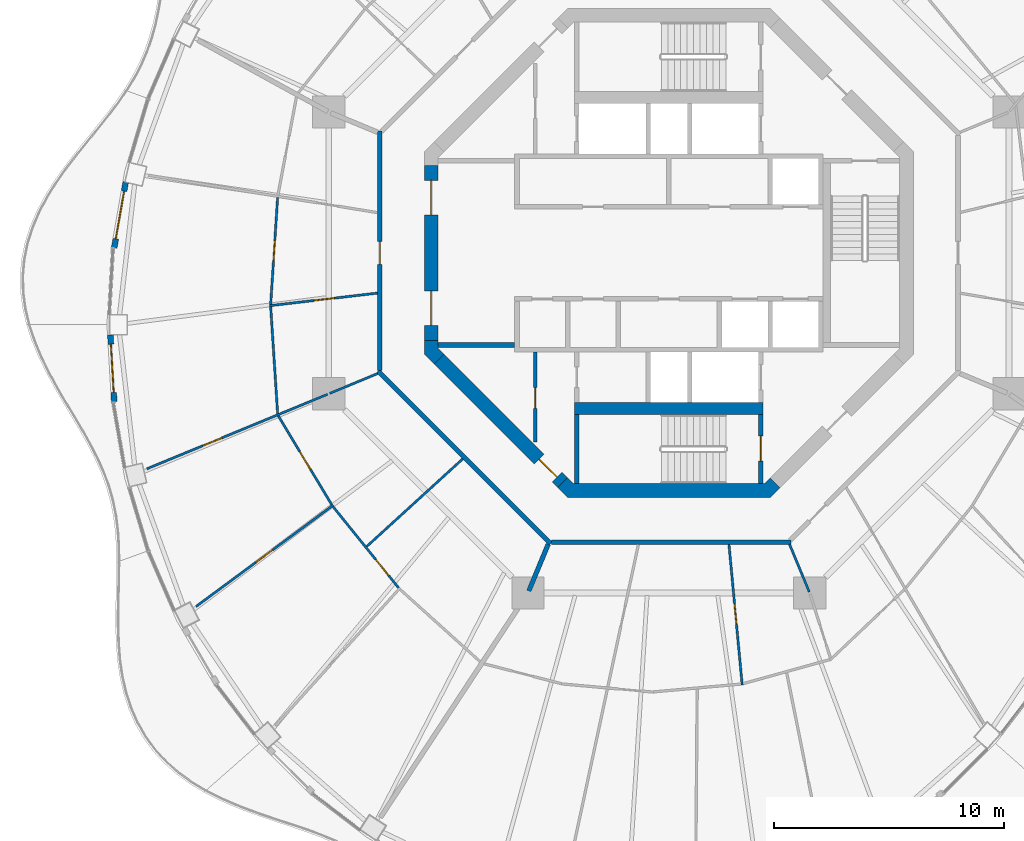
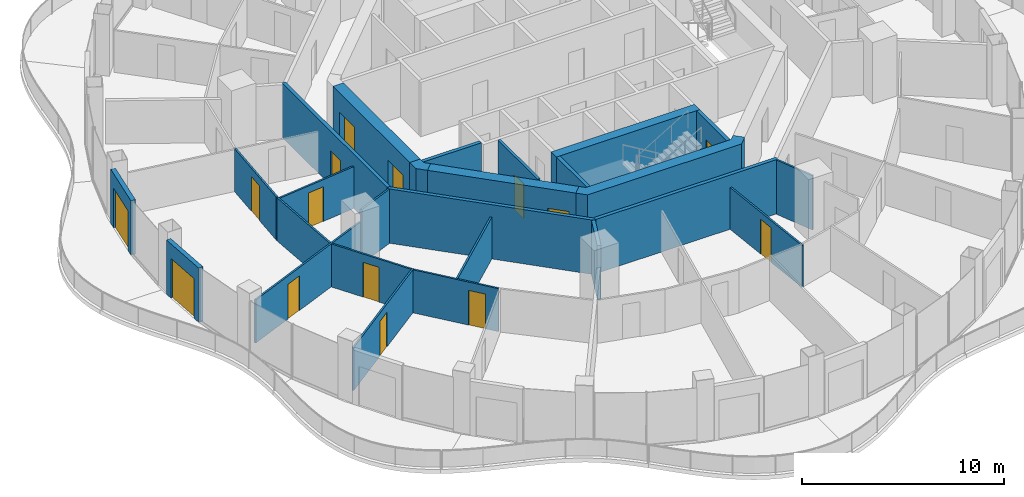
# One storey, part 10 of 17: 26 walls, 15 doors, 15 openings.
"""IFC4 building model written with IfcOpenShell, lengths in metres."""

from ifc_helpers import new_model, si_unit, direction, frame, frame_2d, origin, place, context, subcontext, project, spatial, polyline, rectangle, outline, extrude, material, layer, layer_set, type_object, element, fill, save


model = new_model("IFC4")

# Units and contexts
model_context = context("Model", 3, precision=1e-05, world=origin(), true_north=direction((0.0, 1.0)))
body_context = subcontext(model_context, "Body", "Model", "MODEL_VIEW")
ifc_project = project(units=[si_unit("LENGTHUNIT", "METRE"), si_unit("AREAUNIT", "SQUARE_METRE"), si_unit("VOLUMEUNIT", "CUBIC_METRE"), si_unit("PLANEANGLEUNIT", "RADIAN"), si_unit("MASSUNIT", "GRAM", prefix="KILO")], contexts=[model_context])

# Site, building, storey
site_placement = place(None, origin())
site = spatial("IfcSite", under=ifc_project, at=site_placement, CompositionType="ELEMENT")
building_placement = place(site_placement, origin())
building = spatial("IfcBuilding", under=site, at=building_placement, Name="Nagisa Residences", CompositionType="ELEMENT")
storey_placement = place(building_placement, frame((0.0, 0.0, 295.5)))
storey = spatial("IfcBuildingStorey", under=building, at=storey_placement, Name="L75", CompositionType="ELEMENT", Elevation=295.5)

# Wall
ifc_material_1 = material(Name="Gypsum board on steel studs", Category="steel")
ifc_layer_1 = layer(ifc_material_1, 0.199951171875)
ifc_layer_set_1 = layer_set([ifc_layer_1], Name="Apartment compartment wall EI60 200")
wall_type_1 = type_object("IfcWallType", Name="Apartment compartment wall EI60 200", PredefinedType="PARTITIONING", material=ifc_layer_set_1)
wall_1_placement = place(storey_placement, frame((-5.24267578125, -12.6572265625, 0.0), z_axis=(0.0, 0.0, 1.0), x_axis=(-0.382770106157, -0.923843626288, 0.0)))
element("IfcWall", 1, at=wall_1_placement, inside=storey, type_object=wall_type_1, Name="wall:L75:u06", PredefinedType="PARTITIONING", context=body_context, shape_type="SweptSolid", body=[
    extrude(rectangle(XDim=2.19921875, YDim=0.199951171875, at=frame_2d((1.099609375, 0.0))), origin(), (0.0, 0.0, 1.0), 3.280029296875),
])

# Wall, opening, door
ifc_material_2 = material(Name="Gypsum board on steel studs", Category="steel")
ifc_layer_2 = layer(ifc_material_2, 0.199951171875)
ifc_layer_set_2 = layer_set([ifc_layer_2], Name="Apartment entry wall EI60 200")
wall_type_2 = type_object("IfcWallType", Name="Apartment entry wall EI60 200", PredefinedType="PARTITIONING", material=ifc_layer_set_2)
wall_2_placement = place(storey_placement, frame((-12.564697265625, 5.304443359375, 0.0), z_axis=(0.0, 0.0, 1.0), x_axis=(0.0, -1.0, 0.0)))
wall_2 = element("IfcWall", 2, at=wall_2_placement, inside=storey, type_object=wall_type_2, Name="wall:L75:u14", PredefinedType="PARTITIONING", context=body_context, shape_type="SweptSolid", body=[
    extrude(rectangle(XDim=10.408935546875, YDim=0.199951171875, at=frame_2d((5.20458984375, 0.0))), origin(), (0.0, 0.0, 1.0), 3.280029296875),
])
opening_1_placement = place(wall_2_placement, frame((4.804443359375, 0.0, 0.0)))
opening_1 = element("IfcOpeningElement", 3, at=opening_1_placement, cuts=wall_2, Name="Opening L75-U31", PredefinedType="OPENING", context=body_context, shape_type="SweptSolid", body=[
    extrude(rectangle(XDim=1.0, YDim=2.10009765625, at=frame_2d((0.5, 1.050048828125))), frame((0.0, 0.10986328125, 0.0), z_axis=(0.0, -1.0, 0.0), x_axis=(1.0, 0.0, 0.0)), (0.0, 0.0, 1.0), 0.219970703125),
])
ifc_material_3 = material(Name="Timber fire door set", Category="wood")
door_type_1 = type_object("IfcDoorType", Name="Apartment entry door FD30S 1000x2100", OperationType="NOTDEFINED", PredefinedType="DOOR", material=ifc_material_3)
door_1_placement = place(opening_1_placement, frame((1.0, 0.0, 0.0), x_axis=(-1.0, 0.0, 0.0)))
door_1 = element("IfcDoor", 4, at=door_1_placement, inside=storey, type_object=door_type_1, Name="Entry door, Apartment 75E", OperationType="SINGLE_SWING_RIGHT", OverallHeight=2.10009765625, OverallWidth=1.0, PredefinedType="DOOR", context=body_context, shape_type="SweptSolid", body=[
    extrude(rectangle(XDim=1.0, YDim=2.10009765625, at=frame_2d((0.5, 1.050048828125))), frame((0.0, 0.02490234375, 0.0), z_axis=(0.0, -1.0, 0.0), x_axis=(1.0, 0.0, 0.0)), (0.0, 0.0, 1.0), 0.050048828125),
])
fill(opening_1, door_1)

# Walls
wall_3_placement = place(storey_placement, frame((-12.635498046875, -5.1337890625, 0.0), z_axis=(0.0, 0.0, 1.0), x_axis=(0.707106781187, -0.707106781187, 0.0)))
element("IfcWall", 5, at=wall_3_placement, inside=storey, type_object=wall_type_2, Name="wall:L75:u15", PredefinedType="PARTITIONING", context=body_context, shape_type="SweptSolid", body=[
    extrude(rectangle(XDim=10.609130859375, YDim=0.199951171875, at=frame_2d((5.3046875, 0.0))), origin(), (0.0, 0.0, 1.0), 3.280029296875),
])
wall_4_placement = place(storey_placement, frame((-5.1044921875, -12.564697265625, 0.0), z_axis=(0.0, 0.0, 1.0), x_axis=(1.0, 0.0, 0.0)))
element("IfcWall", 6, at=wall_4_placement, inside=storey, type_object=wall_type_2, Name="wall:L75:u16", PredefinedType="PARTITIONING", context=body_context, shape_type="SweptSolid", body=[
    extrude(rectangle(XDim=10.408935546875, YDim=0.199951171875, at=frame_2d((5.20458984375, 0.0))), origin(), (0.0, 0.0, 1.0), 3.280029296875),
])

# Wall, opening, door
ifc_material_4 = material(Name="Gypsum board on steel studs", Category="steel")
ifc_layer_3 = layer(ifc_material_4, 0.10009765625)
ifc_layer_set_3 = layer_set([ifc_layer_3], Name="Apartment partition 100")
wall_type_3 = type_object("IfcWallType", Name="Apartment partition 100", PredefinedType="PARTITIONING", material=ifc_layer_set_3)
wall_5_placement = place(storey_placement, frame((-17.001708984375, 2.40869140625, 0.0), z_axis=(0.0, 0.0, 1.0), x_axis=(-0.064855550758, -0.997894662545, 0.0)))
wall_5 = element("IfcWall", 7, at=wall_5_placement, inside=storey, type_object=wall_type_3, Name="wall:L75:u41", PredefinedType="PARTITIONING", context=body_context, shape_type="SweptSolid", body=[
    extrude(rectangle(XDim=4.656494140625, YDim=0.10009765625, at=frame_2d((2.328125, 0.0))), origin(), (0.0, 0.0, 1.0), 2.60205078125),
])
opening_2_placement = place(wall_5_placement, frame((1.87841796875, 0.0, 0.0)))
opening_2 = element("IfcOpeningElement", 8, at=opening_2_placement, cuts=wall_5, Name="Opening L75-U35", PredefinedType="OPENING", context=body_context, shape_type="SweptSolid", body=[
    extrude(rectangle(XDim=0.89990234375, YDim=2.10009765625, at=frame_2d((0.449951171875, 1.050048828125))), frame((0.0, 0.06005859375, 0.0), z_axis=(0.0, -1.0, 0.0), x_axis=(1.0, 0.0, 0.0)), (0.0, 0.0, 1.0), 0.1201171875),
])
ifc_material_5 = material(Name="Timber door set", Category="wood")
door_type_2 = type_object("IfcDoorType", Name="Apartment door 900x2100", OperationType="NOTDEFINED", PredefinedType="DOOR", material=ifc_material_5)
door_2_placement = place(opening_2_placement, frame((0.89990234375, 0.0, 0.0), x_axis=(-1.0, 0.0, 0.0)))
door_2 = element("IfcDoor", 9, at=door_2_placement, inside=storey, type_object=door_type_2, Name="Door to living room, Apartment 75E", OperationType="SINGLE_SWING_RIGHT", OverallHeight=2.10009765625, OverallWidth=0.89990234375, PredefinedType="DOOR", context=body_context, shape_type="SweptSolid", body=[
    extrude(rectangle(XDim=0.89990234375, YDim=2.10009765625, at=frame_2d((0.449951171875, 1.050048828125))), frame((0.0, 0.02490234375, 0.0), z_axis=(0.0, -1.0, 0.0), x_axis=(1.0, 0.0, 0.0)), (0.0, 0.0, 1.0), 0.050048828125),
])
fill(opening_2, door_2)

wall_6_placement = place(storey_placement, frame((-12.6640625, -1.746337890625, 0.0), z_axis=(0.0, 0.0, 1.0), x_axis=(-0.993265121683, -0.115863704621, 0.0)))
wall_6 = element("IfcWall", 10, at=wall_6_placement, inside=storey, type_object=wall_type_3, Name="wall:L75:u42", PredefinedType="PARTITIONING", context=body_context, shape_type="SweptSolid", body=[
    extrude(rectangle(XDim=4.72412109375, YDim=0.10009765625, at=frame_2d((2.362060546875, 0.0))), origin(), (0.0, 0.0, 1.0), 2.527099609375),
])
opening_3_placement = place(wall_6_placement, frame((1.88720703125, 0.0, 0.0)))
opening_3 = element("IfcOpeningElement", 11, at=opening_3_placement, cuts=wall_6, Name="Opening L75-U33", PredefinedType="OPENING", context=body_context, shape_type="SweptSolid", body=[
    extrude(rectangle(XDim=0.89990234375, YDim=2.10009765625, at=frame_2d((0.449951171875, 1.050048828125))), frame((0.0, 0.06005859375, 0.0), z_axis=(0.0, -1.0, 0.0), x_axis=(1.0, 0.0, 0.0)), (0.0, 0.0, 1.0), 0.1201171875),
])
door_3_placement = place(opening_3_placement, origin())
door_3 = element("IfcDoor", 12, at=door_3_placement, inside=storey, type_object=door_type_2, Name="Door to family bathroom, Apartment 75E", OperationType="SINGLE_SWING_LEFT", OverallHeight=2.10009765625, OverallWidth=0.89990234375, PredefinedType="DOOR", context=body_context, shape_type="SweptSolid", body=[
    extrude(rectangle(XDim=0.89990234375, YDim=2.10009765625, at=frame_2d((0.449951171875, 1.050048828125))), frame((0.0, 0.02490234375, 0.0), z_axis=(0.0, -1.0, 0.0), x_axis=(1.0, 0.0, 0.0)), (0.0, 0.0, 1.0), 0.050048828125),
])
fill(opening_3, door_3)

# Walls
wall_7_placement = place(storey_placement, frame((-17.3037109375, -2.337890625, 0.0), z_axis=(0.0, 0.0, 1.0), x_axis=(0.064981578354, -0.99788646372, 0.0)))
element("IfcWall", 13, at=wall_7_placement, inside=storey, type_object=wall_type_3, Name="wall:L75:u43", PredefinedType="PARTITIONING", context=body_context, shape_type="SweptSolid", body=[
    extrude(rectangle(XDim=4.65869140625, YDim=0.10009765625, at=frame_2d((2.329345703125, 0.0))), origin(), (0.0, 0.0, 1.0), 2.60205078125),
])
wall_8_placement = place(storey_placement, frame((-12.6572265625, -5.24267578125, 0.0), z_axis=(0.0, 0.0, 1.0), x_axis=(-0.923871314276, -0.382703272338, 0.0)))
element("IfcWall", 14, at=wall_8_placement, inside=storey, type_object=wall_type_3, Name="wall:L75:u44", PredefinedType="PARTITIONING", context=body_context, shape_type="SweptSolid", body=[
    extrude(rectangle(XDim=2.249267578125, YDim=0.10009765625, at=frame_2d((1.12451171875, 0.0))), origin(), (0.0, 0.0, 1.0), 3.280029296875),
])

# Wall, opening, door
wall_9_placement = place(storey_placement, frame((-14.828369140625, -6.14208984375, 0.0), z_axis=(0.0, 0.0, 1.0), x_axis=(-0.924478087429, -0.381235184451, 0.0)))
wall_9 = element("IfcWall", 15, at=wall_9_placement, inside=storey, type_object=wall_type_3, Name="wall:L75:u45", PredefinedType="PARTITIONING", context=body_context, shape_type="SweptSolid", body=[
    extrude(rectangle(XDim=8.499267578125, YDim=0.10009765625, at=frame_2d((4.24951171875, 0.0))), origin(), (0.0, 0.0, 1.0), 2.60205078125),
])
opening_4_placement = place(wall_9_placement, frame((4.97314453125, 0.0, 0.0)))
opening_4 = element("IfcOpeningElement", 16, at=opening_4_placement, cuts=wall_9, Name="Opening L75-U36", PredefinedType="OPENING", context=body_context, shape_type="SweptSolid", body=[
    extrude(rectangle(XDim=0.89990234375, YDim=2.10009765625, at=frame_2d((0.449951171875, 1.050048828125))), frame((0.0, 0.06005859375, 0.0), z_axis=(0.0, -1.0, 0.0), x_axis=(1.0, 0.0, 0.0)), (0.0, 0.0, 1.0), 0.1201171875),
])
door_4_placement = place(opening_4_placement, origin())
door_4 = element("IfcDoor", 17, at=door_4_placement, inside=storey, type_object=door_type_2, Name="Door to kitchen, Apartment 75E", OperationType="SINGLE_SWING_RIGHT", OverallHeight=2.10009765625, OverallWidth=0.89990234375, PredefinedType="DOOR", context=body_context, shape_type="SweptSolid", body=[
    extrude(rectangle(XDim=0.89990234375, YDim=2.10009765625, at=frame_2d((0.449951171875, 1.050048828125))), frame((0.0, 0.02490234375, 0.0), z_axis=(0.0, -1.0, 0.0), x_axis=(1.0, 0.0, 0.0)), (0.0, 0.0, 1.0), 0.050048828125),
])
fill(opening_4, door_4)

wall_10_placement = place(storey_placement, frame((-16.971923828125, -7.07958984375, 0.0), z_axis=(0.0, 0.0, 1.0), x_axis=(0.514989049311, -0.857196756346, 0.0)))
wall_10 = element("IfcWall", 18, at=wall_10_placement, inside=storey, type_object=wall_type_3, Name="wall:L75:u46", PredefinedType="PARTITIONING", context=body_context, shape_type="SweptSolid", body=[
    extrude(rectangle(XDim=4.51171875, YDim=0.10009765625, at=frame_2d((2.255859375, 0.0))), origin(), (0.0, 0.0, 1.0), 2.60205078125),
])
opening_5_placement = place(wall_10_placement, frame((1.805908203125, 0.0, 0.0)))
opening_5 = element("IfcOpeningElement", 19, at=opening_5_placement, cuts=wall_10, Name="Opening L75-U39", PredefinedType="OPENING", context=body_context, shape_type="SweptSolid", body=[
    extrude(rectangle(XDim=0.89990234375, YDim=2.10009765625, at=frame_2d((0.449951171875, 1.050048828125))), frame((0.0, 0.06005859375, 0.0), z_axis=(0.0, -1.0, 0.0), x_axis=(1.0, 0.0, 0.0)), (0.0, 0.0, 1.0), 0.1201171875),
])
door_5_placement = place(opening_5_placement, origin())
door_5 = element("IfcDoor", 20, at=door_5_placement, inside=storey, type_object=door_type_2, Name="Door to store, Apartment 75E", OperationType="SINGLE_SWING_LEFT", OverallHeight=2.10009765625, OverallWidth=0.89990234375, PredefinedType="DOOR", context=body_context, shape_type="SweptSolid", body=[
    extrude(rectangle(XDim=0.89990234375, YDim=2.10009765625, at=frame_2d((0.449951171875, 1.050048828125))), frame((0.0, 0.02490234375, 0.0), z_axis=(0.0, -1.0, 0.0), x_axis=(1.0, 0.0, 0.0)), (0.0, 0.0, 1.0), 0.050048828125),
])
fill(opening_5, door_5)

wall_11_placement = place(storey_placement, frame((-14.582275390625, -10.960205078125, 0.0), z_axis=(0.0, 0.0, 1.0), x_axis=(-0.804405200554, -0.594081032623, 0.0)))
wall_11 = element("IfcWall", 21, at=wall_11_placement, inside=storey, type_object=wall_type_3, Name="wall:L75:u47", PredefinedType="PARTITIONING", context=body_context, shape_type="SweptSolid", body=[
    extrude(rectangle(XDim=7.41845703125, YDim=0.10009765625, at=frame_2d((3.709228515625, 0.0))), origin(), (0.0, 0.0, 1.0), 2.60205078125),
])
opening_6_placement = place(wall_11_placement, frame((3.2841796875, 0.0, 0.0)))
opening_6 = element("IfcOpeningElement", 22, at=opening_6_placement, cuts=wall_11, Name="Opening L75-U37", PredefinedType="OPENING", context=body_context, shape_type="SweptSolid", body=[
    extrude(rectangle(XDim=0.89990234375, YDim=2.10009765625, at=frame_2d((0.449951171875, 1.050048828125))), frame((0.0, 0.06005859375, 0.0), z_axis=(0.0, -1.0, 0.0), x_axis=(1.0, 0.0, 0.0)), (0.0, 0.0, 1.0), 0.1201171875),
])
door_6_placement = place(opening_6_placement, origin())
door_6 = element("IfcDoor", 23, at=door_6_placement, inside=storey, type_object=door_type_2, Name="Door to family room, Apartment 75E", OperationType="SINGLE_SWING_LEFT", OverallHeight=2.10009765625, OverallWidth=0.89990234375, PredefinedType="DOOR", context=body_context, shape_type="SweptSolid", body=[
    extrude(rectangle(XDim=0.89990234375, YDim=2.10009765625, at=frame_2d((0.449951171875, 1.050048828125))), frame((0.0, 0.02490234375, 0.0), z_axis=(0.0, -1.0, 0.0), x_axis=(1.0, 0.0, 0.0)), (0.0, 0.0, 1.0), 0.050048828125),
])
fill(opening_6, door_6)

wall_12_placement = place(storey_placement, frame((-14.59130859375, -11.02880859375, 0.0), z_axis=(0.0, 0.0, 1.0), x_axis=(0.628170338674, -0.778075848237, 0.0)))
wall_12 = element("IfcWall", 24, at=wall_12_placement, inside=storey, type_object=wall_type_3, Name="wall:L75:u48", PredefinedType="PARTITIONING", context=body_context, shape_type="SweptSolid", body=[
    extrude(rectangle(XDim=4.532470703125, YDim=0.10009765625, at=frame_2d((2.26611328125, 0.0))), origin(), (0.0, 0.0, 1.0), 2.60205078125),
])
opening_7_placement = place(wall_12_placement, frame((2.94921875, 0.0, 0.0)))
opening_7 = element("IfcOpeningElement", 25, at=opening_7_placement, cuts=wall_12, Name="Opening L75-U40", PredefinedType="OPENING", context=body_context, shape_type="SweptSolid", body=[
    extrude(rectangle(XDim=0.89990234375, YDim=2.10009765625, at=frame_2d((0.449951171875, 1.050048828125))), frame((0.0, 0.06005859375, 0.0), z_axis=(0.0, -1.0, 0.0), x_axis=(1.0, 0.0, 0.0)), (0.0, 0.0, 1.0), 0.1201171875),
])
door_7_placement = place(opening_7_placement, origin())
door_7 = element("IfcDoor", 26, at=door_7_placement, inside=storey, type_object=door_type_2, Name="Door to laundry, Apartment 75E", OperationType="SINGLE_SWING_RIGHT", OverallHeight=2.10009765625, OverallWidth=0.89990234375, PredefinedType="DOOR", context=body_context, shape_type="SweptSolid", body=[
    extrude(rectangle(XDim=0.89990234375, YDim=2.10009765625, at=frame_2d((0.449951171875, 1.050048828125))), frame((0.0, 0.02490234375, 0.0), z_axis=(0.0, -1.0, 0.0), x_axis=(1.0, 0.0, 0.0)), (0.0, 0.0, 1.0), 0.050048828125),
])
fill(opening_7, door_7)

# Wall
wall_13_placement = place(storey_placement, frame((-8.95849609375, -8.9521484375, 0.0), z_axis=(0.0, 0.0, 1.0), x_axis=(-0.73876526954, -0.673962815385, 0.0)))
element("IfcWall", 27, at=wall_13_placement, inside=storey, type_object=wall_type_3, Name="wall:L75:u49", PredefinedType="PARTITIONING", context=body_context, shape_type="SweptSolid", body=[
    extrude(rectangle(XDim=5.6474609375, YDim=0.10009765625, at=frame_2d((2.82373046875, 0.0))), origin(), (0.0, 0.0, 1.0), 2.527099609375),
])

# Wall, opening, door
wall_14_placement = place(storey_placement, frame((2.611572265625, -12.664306640625, 0.0), z_axis=(0.0, 0.0, 1.0), x_axis=(0.093781393779, -0.995592813444, 0.0)))
wall_14 = element("IfcWall", 28, at=wall_14_placement, inside=storey, type_object=wall_type_3, Name="wall:L75:u57", PredefinedType="PARTITIONING", context=body_context, shape_type="SweptSolid", body=[
    extrude(rectangle(XDim=6.143798828125, YDim=0.10009765625, at=frame_2d((3.07177734375, 0.0))), origin(), (0.0, 0.0, 1.0), 2.527099609375),
])
opening_8_placement = place(wall_14_placement, frame((2.5966796875, 0.0, 0.0)))
opening_8 = element("IfcOpeningElement", 29, at=opening_8_placement, cuts=wall_14, Name="Opening L75-U07", PredefinedType="OPENING", context=body_context, shape_type="SweptSolid", body=[
    extrude(rectangle(XDim=0.89990234375, YDim=2.10009765625, at=frame_2d((0.449951171875, 1.050048828125))), frame((0.0, 0.06005859375, 0.0), z_axis=(0.0, -1.0, 0.0), x_axis=(1.0, 0.0, 0.0)), (0.0, 0.0, 1.0), 0.1201171875),
])
door_8_placement = place(opening_8_placement, frame((0.89990234375, 0.0, 0.0), x_axis=(-1.0, 0.0, 0.0)))
door_8 = element("IfcDoor", 30, at=door_8_placement, inside=storey, type_object=door_type_2, Name="Door to laundry, Apartment 75A", OperationType="SINGLE_SWING_RIGHT", OverallHeight=2.10009765625, OverallWidth=0.89990234375, PredefinedType="DOOR", context=body_context, shape_type="SweptSolid", body=[
    extrude(rectangle(XDim=0.89990234375, YDim=2.10009765625, at=frame_2d((0.449951171875, 1.050048828125))), frame((0.0, 0.02490234375, 0.0), z_axis=(0.0, -1.0, 0.0), x_axis=(1.0, 0.0, 0.0)), (0.0, 0.0, 1.0), 0.050048828125),
])
fill(opening_8, door_8)

# Wall
wall_15_placement = place(storey_placement, frame((5.24267578125, -12.6572265625, 0.0), z_axis=(0.0, 0.0, 1.0), x_axis=(0.382719158442, -0.923864733477, 0.0)))
element("IfcWall", 31, at=wall_15_placement, inside=storey, type_object=wall_type_3, Name="wall:L75:u60", PredefinedType="PARTITIONING", context=body_context, shape_type="SweptSolid", body=[
    extrude(rectangle(XDim=2.25, YDim=0.10009765625, at=frame_2d((1.125, 0.0))), origin(), (0.0, 0.0, 1.0), 3.280029296875),
])

# Wall, opening, door
ifc_material_6 = material(Name="Precast concrete C40/50", Category="concrete")
ifc_layer_4 = layer(ifc_material_6, 0.25)
ifc_layer_set_4 = layer_set([ifc_layer_4], Name="BALCONY DOOR WALL 250")
wall_type_4 = type_object("IfcWallType", Name="BALCONY DOOR WALL 250", PredefinedType="SOLIDWALL", material=ifc_layer_set_4)
wall_16_placement = place(storey_placement, frame((-24.103271484375, 0.220458984375, 0.0), z_axis=(0.0, 0.0, 1.0), x_axis=(0.172182411767, 0.985065082661, 0.0)))
wall_16 = element("IfcWall", 32, at=wall_16_placement, inside=storey, type_object=wall_type_4, Name="wall:L75:bay22", PredefinedType="SOLIDWALL", context=body_context, shape_type="SweptSolid", body=[
    extrude(rectangle(XDim=2.902587890625, YDim=0.25, at=frame_2d((1.451171875, 0.0))), origin(), (0.0, 0.0, 1.0), 3.280029296875),
])
opening_9_placement = place(wall_16_placement, frame((0.401123046875, 0.0, 0.0)))
opening_9 = element("IfcOpeningElement", 33, at=opening_9_placement, cuts=wall_16, Name="Opening BD-L75-08", PredefinedType="OPENING", context=body_context, shape_type="SweptSolid", body=[
    extrude(rectangle(XDim=2.10009765625, YDim=2.39990234375, at=frame_2d((1.050048828125, 1.199951171875))), frame((0.0, 0.135009765625, 0.0), z_axis=(0.0, -1.0, 0.0), x_axis=(1.0, 0.0, 0.0)), (0.0, 0.0, 1.0), 0.27001953125),
])
ifc_material_7 = material(Name="Aluminium and clear glass", Category="aluminium")
door_type_3 = type_object("IfcDoorType", Name="BALCONY SLIDING DOOR 2100x2400", OperationType="SLIDING_TO_LEFT", PredefinedType="DOOR", material=ifc_material_7)
door_9_placement = place(opening_9_placement, origin())
door_9 = element("IfcDoor", 34, at=door_9_placement, inside=storey, type_object=door_type_3, Name="door:L75:bay22", OperationType="SLIDING_TO_LEFT", OverallHeight=2.39990234375, OverallWidth=2.10009765625, PredefinedType="DOOR", context=body_context, shape_type="SweptSolid", body=[
    extrude(rectangle(XDim=2.10009765625, YDim=2.39990234375, at=frame_2d((1.050048828125, 1.199951171875))), frame((0.0, 0.02490234375, 0.0), z_axis=(0.0, -1.0, 0.0), x_axis=(1.0, 0.0, 0.0)), (0.0, 0.0, 1.0), 0.050048828125),
])
fill(opening_9, door_9)

wall_17_placement = place(storey_placement, frame((-24.101806640625, -6.47021484375, 0.0), z_axis=(0.0, 0.0, 1.0), x_axis=(-0.057450463359, 0.99834835817, 0.0)))
wall_17 = element("IfcWall", 35, at=wall_17_placement, inside=storey, type_object=wall_type_4, Name="wall:L75:bay24", PredefinedType="SOLIDWALL", context=body_context, shape_type="SweptSolid", body=[
    extrude(rectangle(XDim=2.915283203125, YDim=0.25, at=frame_2d((1.45751953125, 0.0))), origin(), (0.0, 0.0, 1.0), 3.280029296875),
])
opening_10_placement = place(wall_17_placement, frame((0.40771484375, 0.0, 0.0)))
opening_10 = element("IfcOpeningElement", 36, at=opening_10_placement, cuts=wall_17, Name="Opening BD-L75-09", PredefinedType="OPENING", context=body_context, shape_type="SweptSolid", body=[
    extrude(rectangle(XDim=2.10009765625, YDim=2.39990234375, at=frame_2d((1.050048828125, 1.199951171875))), frame((0.0, 0.135009765625, 0.0), z_axis=(0.0, -1.0, 0.0), x_axis=(1.0, 0.0, 0.0)), (0.0, 0.0, 1.0), 0.27001953125),
])
door_10_placement = place(opening_10_placement, origin())
door_10 = element("IfcDoor", 37, at=door_10_placement, inside=storey, type_object=door_type_3, Name="door:L75:bay24", OperationType="SLIDING_TO_LEFT", OverallHeight=2.39990234375, OverallWidth=2.10009765625, PredefinedType="DOOR", context=body_context, shape_type="SweptSolid", body=[
    extrude(rectangle(XDim=2.10009765625, YDim=2.39990234375, at=frame_2d((1.050048828125, 1.199951171875))), frame((0.0, 0.02490234375, 0.0), z_axis=(0.0, -1.0, 0.0), x_axis=(1.0, 0.0, 0.0)), (0.0, 0.0, 1.0), 0.050048828125),
])
fill(opening_10, door_10)

ifc_material_8 = material(Name="Gypsum board on steel studs", Category="steel")
ifc_layer_5 = layer(ifc_material_8, 0.14990234375)
ifc_layer_set_5 = layer_set([ifc_layer_5], Name="Core partition 150")
wall_type_5 = type_object("IfcWallType", Name="Core partition 150", PredefinedType="PARTITIONING", material=ifc_layer_set_5)
wall_18_placement = place(storey_placement, frame((-5.800048828125, -8.22705078125, 0.0), z_axis=(0.0, 0.0, 1.0), x_axis=(0.0, 1.0, 0.0)))
wall_18 = element("IfcWall", 38, at=wall_18_placement, inside=storey, type_object=wall_type_5, Name="wall:L75:SWp", PredefinedType="PARTITIONING", context=body_context, shape_type="SweptSolid", body=[
    extrude(rectangle(XDim=3.927001953125, YDim=0.14990234375, at=frame_2d((1.96337890625, 0.0))), origin(), (0.0, 0.0, 1.0), 3.280029296875),
])
opening_11_placement = place(wall_18_placement, frame((1.47607421875, 0.0, 0.0)))
opening_11 = element("IfcOpeningElement", 39, at=opening_11_placement, cuts=wall_18, Name="Opening L75-C11", PredefinedType="OPENING", context=body_context, shape_type="SweptSolid", body=[
    extrude(rectangle(XDim=0.89990234375, YDim=2.10009765625, at=frame_2d((0.449951171875, 1.050048828125))), frame((0.0, 0.0849609375, 0.0), z_axis=(0.0, -1.0, 0.0), x_axis=(1.0, 0.0, 0.0)), (0.0, 0.0, 1.0), 0.169921875),
])
ifc_material_9 = material(Name="Steel fire door", Category="steel")
door_type_4 = type_object("IfcDoorType", Name="Fire door EI30 900x2100 single swing", OperationType="NOTDEFINED", PredefinedType="DOOR", material=ifc_material_9)
door_11_placement = place(opening_11_placement, origin())
door_11 = element("IfcDoor", 40, at=door_11_placement, inside=storey, type_object=door_type_4, Name="Telecom room door L75", OperationType="SINGLE_SWING_LEFT", OverallHeight=2.10009765625, OverallWidth=0.89990234375, PredefinedType="DOOR", context=body_context, shape_type="SweptSolid", body=[
    extrude(rectangle(XDim=0.89990234375, YDim=2.10009765625, at=frame_2d((0.449951171875, 1.050048828125))), frame((0.0, 0.02490234375, 0.0), z_axis=(0.0, -1.0, 0.0), x_axis=(1.0, 0.0, 0.0)), (0.0, 0.0, 1.0), 0.050048828125),
])
fill(opening_11, door_11)

# Wall
ifc_material_10 = material(Name="Gypsum board on steel studs", Category="steel")
ifc_layer_6 = layer(ifc_material_10, 0.199951171875)
ifc_layer_set_6 = layer_set([ifc_layer_6], Name="Core partition 200")
wall_type_6 = type_object("IfcWallType", Name="Core partition 200", PredefinedType="PARTITIONING", material=ifc_layer_set_6)
wall_19_placement = place(storey_placement, frame((-10.024658203125, -4.0, 0.0), z_axis=(0.0, 0.0, 1.0), x_axis=(1.0, 0.0, 0.0)))
element("IfcWall", 41, at=wall_19_placement, inside=storey, type_object=wall_type_6, Name="wall:L75:PSW", PredefinedType="PARTITIONING", context=body_context, shape_type="SweptSolid", body=[
    extrude(rectangle(XDim=3.32470703125, YDim=0.199951171875, at=frame_2d((1.662353515625, 0.0))), origin(), (0.0, 0.0, 1.0), 3.280029296875),
])

# Wall, openings, doors
ifc_material_11 = material(Name="Concrete C60", Category="concrete")
ifc_layer_7 = layer(ifc_material_11, 0.60009765625)
ifc_layer_set_7 = layer_set([ifc_layer_7], Name="Core shear wall 600")
wall_type_7 = type_object("IfcWallType", Name="Core shear wall 600", PredefinedType="SHEAR", material=ifc_layer_set_7)
wall_20_placement = place(storey_placement, frame((-10.32470703125, 3.80078125, 0.0), z_axis=(0.0, 0.0, 1.0), x_axis=(0.0, -1.0, 0.0)))
wall_20 = element("IfcWall", 42, at=wall_20_placement, inside=storey, type_object=wall_type_7, Name="wall:L75:core:flat4", PredefinedType="SHEAR", context=body_context, shape_type="SweptSolid", body=[
    extrude(rectangle(XDim=7.6015625, YDim=0.60009765625, at=frame_2d((3.80078125, 0.0))), origin(), (0.0, 0.0, 1.0), 3.280029296875),
])
opening_12_placement = place(wall_20_placement, frame((0.65087890625, 0.0, 0.0)))
opening_12 = element("IfcOpeningElement", 43, at=opening_12_placement, cuts=wall_20, Name="Opening L75-C20", PredefinedType="OPENING", context=body_context, shape_type="SweptSolid", body=[
    extrude(rectangle(XDim=1.5, YDim=2.10009765625, at=frame_2d((0.75, 1.050048828125))), frame((0.0, 0.31005859375, 0.0), z_axis=(0.0, -1.0, 0.0), x_axis=(1.0, 0.0, 0.0)), (0.0, 0.0, 1.0), 0.6201171875),
])
opening_13_placement = place(wall_20_placement, frame((5.450927734375, 0.0, 0.0)))
opening_13 = element("IfcOpeningElement", 44, at=opening_13_placement, cuts=wall_20, Name="Opening L75-C21", PredefinedType="OPENING", context=body_context, shape_type="SweptSolid", body=[
    extrude(rectangle(XDim=1.5, YDim=2.10009765625, at=frame_2d((0.75, 1.050048828125))), frame((0.0, 0.31005859375, 0.0), z_axis=(0.0, -1.0, 0.0), x_axis=(1.0, 0.0, 0.0)), (0.0, 0.0, 1.0), 0.6201171875),
])
ifc_material_12 = material(Name="Steel fire door", Category="steel")
door_type_5 = type_object("IfcDoorType", Name="Fire door EI60 1500x2100 double door single swing", OperationType="DOUBLE_DOOR_SINGLE_SWING", PredefinedType="DOOR", material=ifc_material_12)
door_12_placement = place(opening_12_placement, origin())
door_12 = element("IfcDoor", 45, at=door_12_placement, inside=storey, type_object=door_type_5, Name="Lift lobby door L75 1", OperationType="DOUBLE_DOOR_SINGLE_SWING", OverallHeight=2.10009765625, OverallWidth=1.5, PredefinedType="DOOR", context=body_context, shape_type="SweptSolid", body=[
    extrude(rectangle(XDim=1.5, YDim=2.10009765625, at=frame_2d((0.75, 1.050048828125))), frame((0.0, 0.02490234375, 0.0), z_axis=(0.0, -1.0, 0.0), x_axis=(1.0, 0.0, 0.0)), (0.0, 0.0, 1.0), 0.050048828125),
])
fill(opening_12, door_12)
door_13_placement = place(opening_13_placement, origin())
door_13 = element("IfcDoor", 46, at=door_13_placement, inside=storey, type_object=door_type_5, Name="Lift lobby door L75 2", OperationType="DOUBLE_DOOR_SINGLE_SWING", OverallHeight=2.10009765625, OverallWidth=1.5, PredefinedType="DOOR", context=body_context, shape_type="SweptSolid", body=[
    extrude(rectangle(XDim=1.5, YDim=2.10009765625, at=frame_2d((0.75, 1.050048828125))), frame((0.0, 0.02490234375, 0.0), z_axis=(0.0, -1.0, 0.0), x_axis=(1.0, 0.0, 0.0)), (0.0, 0.0, 1.0), 0.050048828125),
])
fill(opening_13, door_13)

# Wall, opening, door
wall_21_placement = place(storey_placement, frame((-9.98828125, -4.613037109375, 0.0), z_axis=(0.0, 0.0, 1.0), x_axis=(0.707106781187, -0.707106781187, 0.0)))
wall_21 = element("IfcWall", 47, at=wall_21_placement, inside=storey, type_object=wall_type_7, Name="wall:L75:core:flat5", PredefinedType="SHEAR", context=body_context, shape_type="SweptSolid", body=[
    extrude(rectangle(XDim=7.601806640625, YDim=0.60009765625, at=frame_2d((3.80078125, 0.0))), origin(), (0.0, 0.0, 1.0), 3.280029296875),
])
opening_14_placement = place(wall_21_placement, frame((6.15087890625, 0.0, 0.0)))
opening_14 = element("IfcOpeningElement", 48, at=opening_14_placement, cuts=wall_21, Name="Opening L75-C23", PredefinedType="OPENING", context=body_context, shape_type="SweptSolid", body=[
    extrude(rectangle(XDim=1.10009765625, YDim=2.10009765625, at=frame_2d((0.550048828125, 1.050048828125))), frame((0.0, 0.31005859375, 0.0), z_axis=(0.0, -1.0, 0.0), x_axis=(1.0, 0.0, 0.0)), (0.0, 0.0, 1.0), 0.6201171875),
])
ifc_material_13 = material(Name="Steel fire door", Category="steel")
door_type_6 = type_object("IfcDoorType", Name="Fire door EI60 1100x2100 single swing", OperationType="NOTDEFINED", PredefinedType="DOOR", material=ifc_material_13)
door_14_placement = place(opening_14_placement, origin())
door_14 = element("IfcDoor", 49, at=door_14_placement, inside=storey, type_object=door_type_6, Name="Housekeeping lobby door L75", OperationType="SINGLE_SWING_RIGHT", OverallHeight=2.10009765625, OverallWidth=1.10009765625, PredefinedType="DOOR", context=body_context, shape_type="SweptSolid", body=[
    extrude(rectangle(XDim=1.10009765625, YDim=2.10009765625, at=frame_2d((0.550048828125, 1.050048828125))), frame((0.0, 0.02490234375, 0.0), z_axis=(0.0, -1.0, 0.0), x_axis=(1.0, 0.0, 0.0)), (0.0, 0.0, 1.0), 0.050048828125),
])
fill(opening_14, door_14)

# Walls
wall_22_placement = place(storey_placement, origin())
element("IfcWall", 50, at=wall_22_placement, inside=storey, type_object=wall_type_7, Name="wall:L75:core:pier4", PredefinedType="SHEAR", context=body_context, shape_type="SweptSolid", body=[
    extrude(outline(polyline([(-10.62451171875, -3.80078125), (-10.024658203125, -3.80078125), (-10.024658203125, -4.15234375), (-9.776123046875, -4.40087890625), (-10.200439453125, -4.8251953125), (-10.62451171875, -4.40087890625), (-10.62451171875, -3.80078125)])), origin(), (0.0, 0.0, 1.0), 3.280029296875),
])
wall_23_placement = place(storey_placement, origin())
element("IfcWall", 51, at=wall_23_placement, inside=storey, type_object=wall_type_7, Name="wall:L75:core:flat6", PredefinedType="SHEAR", context=body_context, shape_type="SweptSolid", body=[
    extrude(outline(polyline([(-4.15234375, -10.024658203125), (4.15234375, -10.024658203125), (4.40087890625, -9.776123046875), (4.8251953125, -10.200439453125), (4.40087890625, -10.62451171875), (-4.40087890625, -10.62451171875), (-4.8251953125, -10.200439453125), (-4.40087890625, -9.776123046875), (-4.15234375, -10.024658203125)])), origin(), (0.0, 0.0, 1.0), 3.280029296875),
])

# Wall, opening, door
ifc_material_14 = material(Name="Concrete C60", Category="concrete")
ifc_layer_8 = layer(ifc_material_14, 0.199951171875)
ifc_layer_set_8 = layer_set([ifc_layer_8], Name="Stair enclosure wall 200")
wall_type_8 = type_object("IfcWallType", Name="Stair enclosure wall 200", PredefinedType="SOLIDWALL", material=ifc_layer_set_8)
wall_24_placement = place(storey_placement, frame((4.0, -10.024658203125, 0.0), z_axis=(0.0, 0.0, 1.0), x_axis=(0.0, 1.0, 0.0)))
wall_24 = element("IfcWall", 52, at=wall_24_placement, inside=storey, type_object=wall_type_8, Name="wall:L75:SS_e", PredefinedType="SOLIDWALL", context=body_context, shape_type="SweptSolid", body=[
    extrude(rectangle(XDim=3.0, YDim=0.199951171875, at=frame_2d((1.5, 0.0))), origin(), (0.0, 0.0, 1.0), 3.280029296875),
])
opening_15_placement = place(wall_24_placement, frame((0.974609375, 0.0, 0.0)))
opening_15 = element("IfcOpeningElement", 53, at=opening_15_placement, cuts=wall_24, Name="Opening L75-C09", PredefinedType="OPENING", context=body_context, shape_type="SweptSolid", body=[
    extrude(rectangle(XDim=1.10009765625, YDim=2.10009765625, at=frame_2d((0.550048828125, 1.050048828125))), frame((0.0, 0.10986328125, 0.0), z_axis=(0.0, -1.0, 0.0), x_axis=(1.0, 0.0, 0.0)), (0.0, 0.0, 1.0), 0.219970703125),
])
ifc_material_15 = material(Name="Steel fire door", Category="steel")
door_type_7 = type_object("IfcDoorType", Name="Fire door EI90 1100x2100 single swing", OperationType="NOTDEFINED", PredefinedType="DOOR", material=ifc_material_15)
door_15_placement = place(opening_15_placement, origin())
door_15 = element("IfcDoor", 54, at=door_15_placement, inside=storey, type_object=door_type_7, Name="Stair door ST-S L75", OperationType="SINGLE_SWING_LEFT", OverallHeight=2.10009765625, OverallWidth=1.10009765625, PredefinedType="DOOR", context=body_context, shape_type="SweptSolid", body=[
    extrude(rectangle(XDim=1.10009765625, YDim=2.10009765625, at=frame_2d((0.550048828125, 1.050048828125))), frame((0.0, 0.02490234375, 0.0), z_axis=(0.0, -1.0, 0.0), x_axis=(1.0, 0.0, 0.0)), (0.0, 0.0, 1.0), 0.050048828125),
])
fill(opening_15, door_15)

# Walls
wall_25_placement = place(storey_placement, origin())
element("IfcWall", 55, at=wall_25_placement, inside=storey, type_object=wall_type_8, Name="wall:L75:SS_w", PredefinedType="SOLIDWALL", context=body_context, shape_type="SweptSolid", body=[
    extrude(outline(polyline([(-3.89990234375, -10.024658203125), (-4.10009765625, -10.024658203125), (-4.10009765625, -7.024658203125), (-3.89990234375, -7.024658203125), (-3.89990234375, -10.024658203125)])), origin(), (0.0, 0.0, 1.0), 3.280029296875),
])
wall_26_placement = place(storey_placement, origin())
element("IfcWall", 56, at=wall_26_placement, inside=storey, type_object=wall_type_8, Name="wall:L75:SS_n", PredefinedType="SOLIDWALL", context=body_context, shape_type="SweptSolid", body=[
    extrude(outline(polyline([(4.10009765625, -7.024658203125), (-4.10009765625, -7.024658203125), (-4.10009765625, -6.5), (4.10009765625, -6.5), (4.10009765625, -7.024658203125)])), origin(), (0.0, 0.0, 1.0), 3.280029296875),
])

save(model, "model.ifc")
